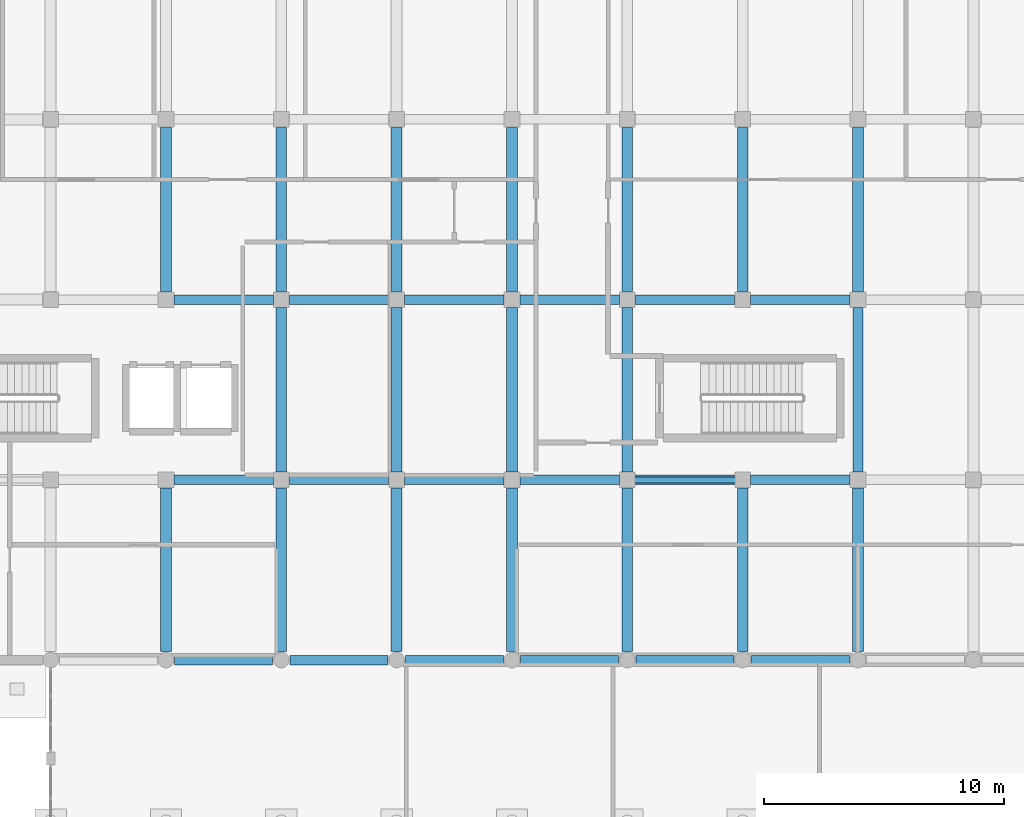
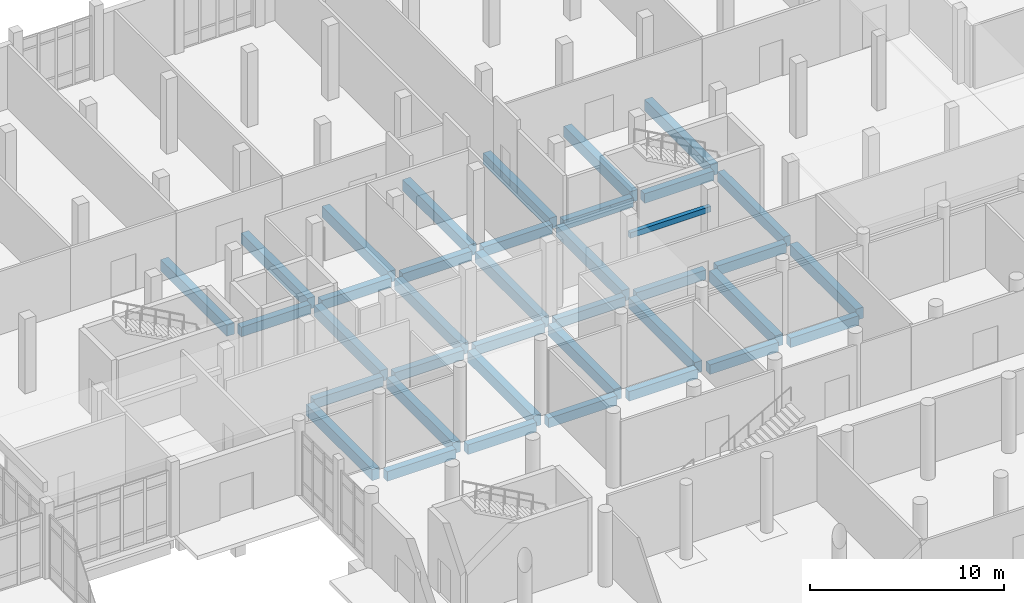
# One storey, part 74 of 173: 38 beams.
"""IFC4 building model written with IfcOpenShell, lengths in metres."""

from ifc_helpers import new_model, si_unit, direction, frame, origin, origin_2d, place, context, subcontext, project, spatial, rectangle, extrude, material, material_profile, profile_set, type_object, element, save


model = new_model("IFC4")

# Units and contexts
model_context = context("Model", 3, precision=1e-05, world=origin(), true_north=direction((0.0, 1.0)))
body_context = subcontext(model_context, "Body", "Model", "MODEL_VIEW")
ifc_project = project(units=[si_unit("LENGTHUNIT", "METRE"), si_unit("AREAUNIT", "SQUARE_METRE"), si_unit("VOLUMEUNIT", "CUBIC_METRE"), si_unit("PLANEANGLEUNIT", "RADIAN"), si_unit("MASSUNIT", "GRAM", prefix="KILO")], contexts=[model_context])

# Site, building, storey
site_placement = place(None, origin())
site = spatial("IfcSite", under=ifc_project, at=site_placement, CompositionType="ELEMENT")
building_placement = place(site_placement, origin())
building = spatial("IfcBuilding", under=site, at=building_placement, Name="Mawjan Specialist Oncology Clinic", CompositionType="ELEMENT")
storey_placement = place(building_placement, origin())
storey = spatial("IfcBuildingStorey", under=building, at=storey_placement, Name="L00", CompositionType="ELEMENT", Elevation=0.0)

# Beams
ifc_material_1 = material(Name="Concrete C40/50", Category="concrete")
ifc_material_profile_1 = material_profile(ifc_material_1, rectangle(XDim=0.39990234375, YDim=0.60009765625, at=origin_2d()), Name="RC BM 400x600", Category="concrete")
ifc_profile_set_1 = profile_set([ifc_material_profile_1], Name="Concrete C40/50")
beam_type_1 = type_object("IfcBeamType", Name="BM-400x600", PredefinedType="BEAM", material=ifc_profile_set_1)
for number, where, z_axis, x_axis, name in (
    (1, (65.159912109375, 75.800048828125, -0.719970703125), (1.0, 0.0, 0.0), (0.0, 1.0, 0.0), "L00 Collector Beam BM-L00-0010"),
    (2, (69.9599609375, 75.800048828125, -0.719970703125), (1.0, 0.0, 0.0), (0.0, 1.0, 0.0), "L00 Collector Beam BM-L00-0011"),
    (3, (74.760009765625, 75.800048828125, -0.719970703125), (1.0, 0.0, 0.0), (0.0, 1.0, 0.0), "L00 Collector Beam BM-L00-0012"),
):
    element("IfcBeam", number, at=place(storey_placement, frame(where, z_axis=z_axis, x_axis=x_axis)), inside=storey, type_object=beam_type_1, Name=name, PredefinedType="BEAM", context=body_context, shape_type="SweptSolid", body=[
        extrude(rectangle(XDim=0.39990234375, YDim=0.60009765625, at=origin_2d()), origin(), (0.0, 0.0, 1.0), 4.080078125),
    ])
for number, where, z_axis, x_axis, name in (
    (4, (79.56005859375, 75.800048828125, -0.719970703125), (1.0, 0.0, 0.0), (0.0, 1.0, 0.0), "L00 Collector Beam BM-L00-0013"),
    (5, (84.360107421875, 75.800048828125, -0.719970703125), (1.0, 0.0, 0.0), (0.0, 1.0, 0.0), "L00 Collector Beam BM-L00-0014"),
):
    element("IfcBeam", number, at=place(storey_placement, frame(where, z_axis=z_axis, x_axis=x_axis)), inside=storey, type_object=beam_type_1, Name=name, PredefinedType="BEAM", context=body_context, shape_type="SweptSolid", body=[
        extrude(rectangle(XDim=0.39990234375, YDim=0.60009765625, at=origin_2d()), origin(), (0.0, 0.0, 1.0), 4.079833984375),
    ])
beam_1_placement = place(storey_placement, frame((89.159912109375, 75.800048828125, -0.719970703125), z_axis=(1.0, 0.0, 0.0), x_axis=(0.0, 1.0, 0.0)))
element("IfcBeam", 6, at=beam_1_placement, inside=storey, type_object=beam_type_1, Name="L00 Collector Beam BM-L00-0015", PredefinedType="BEAM", context=body_context, shape_type="SweptSolid", body=[
    extrude(rectangle(XDim=0.39990234375, YDim=0.60009765625, at=origin_2d()), origin(), (0.0, 0.0, 1.0), 4.080078125),
])
for number, where, z_axis, x_axis, name in (
    (7, (65.135009765625, 83.300048828125, -0.719970703125), (1.0, 0.0, 0.0), (0.0, 1.0, 0.0), "L00 Collector Beam BM-L00-0029"),
    (8, (69.93505859375, 83.300048828125, -0.719970703125), (1.0, 0.0, 0.0), (0.0, 1.0, 0.0), "L00 Collector Beam BM-L00-0030"),
    (9, (74.735107421875, 83.300048828125, -0.719970703125), (1.0, 0.0, 0.0), (0.0, 1.0, 0.0), "L00 Collector Beam BM-L00-0031"),
):
    element("IfcBeam", number, at=place(storey_placement, frame(where, z_axis=z_axis, x_axis=x_axis)), inside=storey, type_object=beam_type_1, Name=name, PredefinedType="BEAM", context=body_context, shape_type="SweptSolid", body=[
        extrude(rectangle(XDim=0.39990234375, YDim=0.60009765625, at=origin_2d()), origin(), (0.0, 0.0, 1.0), 4.1298828125),
    ])
for number, where, z_axis, x_axis, name in (
    (10, (79.534912109375, 83.300048828125, -0.719970703125), (1.0, 0.0, 0.0), (0.0, 1.0, 0.0), "L00 Collector Beam BM-L00-0032"),
    (11, (84.3349609375, 83.300048828125, -0.719970703125), (1.0, 0.0, 0.0), (0.0, 1.0, 0.0), "L00 Collector Beam BM-L00-0033"),
):
    element("IfcBeam", number, at=place(storey_placement, frame(where, z_axis=z_axis, x_axis=x_axis)), inside=storey, type_object=beam_type_1, Name=name, PredefinedType="BEAM", context=body_context, shape_type="SweptSolid", body=[
        extrude(rectangle(XDim=0.39990234375, YDim=0.60009765625, at=origin_2d()), origin(), (0.0, 0.0, 1.0), 4.130126953125),
    ])
for number, where, z_axis, x_axis, name in (
    (12, (89.135009765625, 83.300048828125, -0.719970703125), (1.0, 0.0, 0.0), (0.0, 1.0, 0.0), "L00 Collector Beam BM-L00-0034"),
    (13, (65.135009765625, 90.800048828125, -0.719970703125), (1.0, 0.0, 0.0), (0.0, 1.0, 0.0), "L00 Collector Beam BM-L00-0048"),
    (14, (69.93505859375, 90.800048828125, -0.719970703125), (1.0, 0.0, 0.0), (0.0, 1.0, 0.0), "L00 Collector Beam BM-L00-0049"),
    (15, (74.735107421875, 90.800048828125, -0.719970703125), (1.0, 0.0, 0.0), (0.0, 1.0, 0.0), "L00 Collector Beam BM-L00-0050"),
):
    element("IfcBeam", number, at=place(storey_placement, frame(where, z_axis=z_axis, x_axis=x_axis)), inside=storey, type_object=beam_type_1, Name=name, PredefinedType="BEAM", context=body_context, shape_type="SweptSolid", body=[
        extrude(rectangle(XDim=0.39990234375, YDim=0.60009765625, at=origin_2d()), origin(), (0.0, 0.0, 1.0), 4.1298828125),
    ])
for number, where, z_axis, x_axis, name in (
    (16, (79.534912109375, 90.800048828125, -0.719970703125), (1.0, 0.0, 0.0), (0.0, 1.0, 0.0), "L00 Collector Beam BM-L00-0051"),
    (17, (84.3349609375, 90.800048828125, -0.719970703125), (1.0, 0.0, 0.0), (0.0, 1.0, 0.0), "L00 Collector Beam BM-L00-0052"),
):
    element("IfcBeam", number, at=place(storey_placement, frame(where, z_axis=z_axis, x_axis=x_axis)), inside=storey, type_object=beam_type_1, Name=name, PredefinedType="BEAM", context=body_context, shape_type="SweptSolid", body=[
        extrude(rectangle(XDim=0.39990234375, YDim=0.60009765625, at=origin_2d()), origin(), (0.0, 0.0, 1.0), 4.130126953125),
    ])
beam_2_placement = place(storey_placement, frame((89.135009765625, 90.800048828125, -0.719970703125), z_axis=(1.0, 0.0, 0.0), x_axis=(0.0, 1.0, 0.0)))
element("IfcBeam", 18, at=beam_2_placement, inside=storey, type_object=beam_type_1, Name="L00 Collector Beam BM-L00-0053", PredefinedType="BEAM", context=body_context, shape_type="SweptSolid", body=[
    extrude(rectangle(XDim=0.39990234375, YDim=0.60009765625, at=origin_2d()), origin(), (0.0, 0.0, 1.0), 4.1298828125),
])
ifc_material_2 = material(Name="Concrete C40/50", Category="concrete")
ifc_material_profile_2 = material_profile(ifc_material_2, rectangle(XDim=0.449951171875, YDim=0.699951171875, at=origin_2d()), Name="RC BM 450x700", Category="concrete")
ifc_profile_set_2 = profile_set([ifc_material_profile_2], Name="Concrete C40/50")
beam_type_2 = type_object("IfcBeamType", Name="BM-450x700", PredefinedType="BEAM", material=ifc_profile_set_2)
beam_3_placement = place(storey_placement, frame((64.800048828125, 76.159912109375, -0.77001953125), z_axis=(0.0, 1.0, 0.0), x_axis=(-1.0, 0.0, 0.0)))
element("IfcBeam", 19, at=beam_3_placement, inside=storey, type_object=beam_type_2, Name="L00 Collector Beam BM-L00-0136", PredefinedType="BEAM", context=body_context, shape_type="SweptSolid", body=[
    extrude(rectangle(XDim=0.449951171875, YDim=0.699951171875, at=origin_2d()), origin(), (0.0, 0.0, 1.0), 6.80517578125),
])
beam_4_placement = place(storey_placement, frame((64.800048828125, 91.135009765625, -0.77001953125), z_axis=(0.0, 1.0, 0.0), x_axis=(-1.0, 0.0, 0.0)))
element("IfcBeam", 20, at=beam_4_placement, inside=storey, type_object=beam_type_2, Name="L00 Collector Beam BM-L00-0137", PredefinedType="BEAM", context=body_context, shape_type="SweptSolid", body=[
    extrude(rectangle(XDim=0.449951171875, YDim=0.699951171875, at=origin_2d()), origin(), (0.0, 0.0, 1.0), 6.830078125),
])
beam_5_placement = place(storey_placement, frame((69.60009765625, 76.159912109375, -0.77001953125), z_axis=(0.0, 1.0, 0.0), x_axis=(-1.0, 0.0, 0.0)))
element("IfcBeam", 21, at=beam_5_placement, inside=storey, type_object=beam_type_2, Name="L00 Collector Beam BM-L00-0140", PredefinedType="BEAM", context=body_context, shape_type="SweptSolid", body=[
    extrude(rectangle(XDim=0.449951171875, YDim=0.699951171875, at=origin_2d()), origin(), (0.0, 0.0, 1.0), 6.80517578125),
])
for number, where, z_axis, x_axis, name in (
    (22, (69.60009765625, 83.635009765625, -0.77001953125), (0.0, 1.0, 0.0), (-1.0, 0.0, 0.0), "L00 Collector Beam BM-L00-0141"),
    (23, (69.60009765625, 91.135009765625, -0.77001953125), (0.0, 1.0, 0.0), (-1.0, 0.0, 0.0), "L00 Collector Beam BM-L00-0142"),
):
    element("IfcBeam", number, at=place(storey_placement, frame(where, z_axis=z_axis, x_axis=x_axis)), inside=storey, type_object=beam_type_2, Name=name, PredefinedType="BEAM", context=body_context, shape_type="SweptSolid", body=[
        extrude(rectangle(XDim=0.449951171875, YDim=0.699951171875, at=origin_2d()), origin(), (0.0, 0.0, 1.0), 6.830078125),
    ])
beam_6_placement = place(storey_placement, frame((74.39990234375, 76.159912109375, -0.77001953125), z_axis=(0.0, 1.0, 0.0), x_axis=(-1.0, 0.0, 0.0)))
element("IfcBeam", 24, at=beam_6_placement, inside=storey, type_object=beam_type_2, Name="L00 Collector Beam BM-L00-0145", PredefinedType="BEAM", context=body_context, shape_type="SweptSolid", body=[
    extrude(rectangle(XDim=0.449951171875, YDim=0.699951171875, at=origin_2d()), origin(), (0.0, 0.0, 1.0), 6.80517578125),
])
for number, where, z_axis, x_axis, name in (
    (25, (74.39990234375, 83.635009765625, -0.77001953125), (0.0, 1.0, 0.0), (-1.0, 0.0, 0.0), "L00 Collector Beam BM-L00-0146"),
    (26, (74.39990234375, 91.135009765625, -0.77001953125), (0.0, 1.0, 0.0), (-1.0, 0.0, 0.0), "L00 Collector Beam BM-L00-0147"),
):
    element("IfcBeam", number, at=place(storey_placement, frame(where, z_axis=z_axis, x_axis=x_axis)), inside=storey, type_object=beam_type_2, Name=name, PredefinedType="BEAM", context=body_context, shape_type="SweptSolid", body=[
        extrude(rectangle(XDim=0.449951171875, YDim=0.699951171875, at=origin_2d()), origin(), (0.0, 0.0, 1.0), 6.830078125),
    ])
beam_7_placement = place(storey_placement, frame((79.199951171875, 76.159912109375, -0.77001953125), z_axis=(0.0, 1.0, 0.0), x_axis=(-1.0, 0.0, 0.0)))
element("IfcBeam", 27, at=beam_7_placement, inside=storey, type_object=beam_type_2, Name="L00 Collector Beam BM-L00-0150", PredefinedType="BEAM", context=body_context, shape_type="SweptSolid", body=[
    extrude(rectangle(XDim=0.449951171875, YDim=0.699951171875, at=origin_2d()), origin(), (0.0, 0.0, 1.0), 6.80517578125),
])
for number, where, z_axis, x_axis, name in (
    (28, (79.199951171875, 83.635009765625, -0.77001953125), (0.0, 1.0, 0.0), (-1.0, 0.0, 0.0), "L00 Collector Beam BM-L00-0151"),
    (29, (79.199951171875, 91.135009765625, -0.77001953125), (0.0, 1.0, 0.0), (-1.0, 0.0, 0.0), "L00 Collector Beam BM-L00-0152"),
):
    element("IfcBeam", number, at=place(storey_placement, frame(where, z_axis=z_axis, x_axis=x_axis)), inside=storey, type_object=beam_type_2, Name=name, PredefinedType="BEAM", context=body_context, shape_type="SweptSolid", body=[
        extrude(rectangle(XDim=0.449951171875, YDim=0.699951171875, at=origin_2d()), origin(), (0.0, 0.0, 1.0), 6.830078125),
    ])
beam_8_placement = place(storey_placement, frame((84.0, 76.159912109375, -0.77001953125), z_axis=(0.0, 1.0, 0.0), x_axis=(-1.0, 0.0, 0.0)))
element("IfcBeam", 30, at=beam_8_placement, inside=storey, type_object=beam_type_2, Name="L00 Collector Beam BM-L00-0155", PredefinedType="BEAM", context=body_context, shape_type="SweptSolid", body=[
    extrude(rectangle(XDim=0.449951171875, YDim=0.699951171875, at=origin_2d()), origin(), (0.0, 0.0, 1.0), 6.80517578125),
])
for number, where, z_axis, x_axis, name in (
    (31, (84.0, 83.635009765625, -0.77001953125), (0.0, 1.0, 0.0), (-1.0, 0.0, 0.0), "L00 Collector Beam BM-L00-0156"),
    (32, (84.0, 91.135009765625, -0.77001953125), (0.0, 1.0, 0.0), (-1.0, 0.0, 0.0), "L00 Collector Beam BM-L00-0157"),
):
    element("IfcBeam", number, at=place(storey_placement, frame(where, z_axis=z_axis, x_axis=x_axis)), inside=storey, type_object=beam_type_2, Name=name, PredefinedType="BEAM", context=body_context, shape_type="SweptSolid", body=[
        extrude(rectangle(XDim=0.449951171875, YDim=0.699951171875, at=origin_2d()), origin(), (0.0, 0.0, 1.0), 6.830078125),
    ])
beam_9_placement = place(storey_placement, frame((88.800048828125, 76.159912109375, -0.77001953125), z_axis=(0.0, 1.0, 0.0), x_axis=(-1.0, 0.0, 0.0)))
element("IfcBeam", 33, at=beam_9_placement, inside=storey, type_object=beam_type_2, Name="L00 Collector Beam BM-L00-0160", PredefinedType="BEAM", context=body_context, shape_type="SweptSolid", body=[
    extrude(rectangle(XDim=0.449951171875, YDim=0.699951171875, at=origin_2d()), origin(), (0.0, 0.0, 1.0), 6.80517578125),
])
beam_10_placement = place(storey_placement, frame((88.800048828125, 91.135009765625, -0.77001953125), z_axis=(0.0, 1.0, 0.0), x_axis=(-1.0, 0.0, 0.0)))
element("IfcBeam", 34, at=beam_10_placement, inside=storey, type_object=beam_type_2, Name="L00 Collector Beam BM-L00-0161", PredefinedType="BEAM", context=body_context, shape_type="SweptSolid", body=[
    extrude(rectangle(XDim=0.449951171875, YDim=0.699951171875, at=origin_2d()), origin(), (0.0, 0.0, 1.0), 6.830078125),
])
beam_11_placement = place(storey_placement, frame((93.60009765625, 76.159912109375, -0.77001953125), z_axis=(0.0, 1.0, 0.0), x_axis=(-1.0, 0.0, 0.0)))
element("IfcBeam", 35, at=beam_11_placement, inside=storey, type_object=beam_type_2, Name="L00 Collector Beam BM-L00-0164", PredefinedType="BEAM", context=body_context, shape_type="SweptSolid", body=[
    extrude(rectangle(XDim=0.449951171875, YDim=0.699951171875, at=origin_2d()), origin(), (0.0, 0.0, 1.0), 6.80517578125),
])
beam_12_placement = place(storey_placement, frame((93.60009765625, 91.135009765625, -0.77001953125), z_axis=(0.0, 1.0, 0.0), x_axis=(-1.0, 0.0, 0.0)))
element("IfcBeam", 36, at=beam_12_placement, inside=storey, type_object=beam_type_2, Name="L00 Collector Beam BM-L00-0166", PredefinedType="BEAM", context=body_context, shape_type="SweptSolid", body=[
    extrude(rectangle(XDim=0.449951171875, YDim=0.699951171875, at=origin_2d()), origin(), (0.0, 0.0, 1.0), 6.830078125),
])
ifc_material_3 = material(Name="Concrete C40/50", Category="concrete")
ifc_material_profile_3 = material_profile(ifc_material_3, rectangle(XDim=0.25, YDim=0.35009765625, at=origin_2d()), Name="RC LINTEL 250x350", Category="concrete")
ifc_profile_set_3 = profile_set([ifc_material_profile_3], Name="Concrete C40/50")
beam_type_3 = type_object("IfcBeamType", Name="LNT-250", PredefinedType="LINTEL", material=ifc_profile_set_3)
beam_13_placement = place(storey_placement, frame((84.0, 83.300048828125, 3.25), z_axis=(1.0, 0.0, 0.0), x_axis=(0.0, 1.0, 0.0)))
element("IfcBeam", 37, at=beam_13_placement, inside=storey, type_object=beam_type_3, Name="L00 Reinforced Concrete Lintel 8", PredefinedType="LINTEL", context=body_context, shape_type="SweptSolid", body=[
    extrude(rectangle(XDim=0.25, YDim=0.35009765625, at=origin_2d()), origin(), (0.0, 0.0, 1.0), 4.800048828125),
])
ifc_material_4 = material(Name="Concrete C45/55", Category="concrete")
ifc_material_profile_4 = material_profile(ifc_material_4, rectangle(XDim=0.39990234375, YDim=0.64990234375, at=origin_2d()), Name="RC BM 400x650", Category="concrete")
ifc_profile_set_4 = profile_set([ifc_material_profile_4], Name="Concrete C45/55")
beam_type_4 = type_object("IfcBeamType", Name="SP-400x650", PredefinedType="SPANDREL", material=ifc_profile_set_4)
beam_14_placement = place(storey_placement, frame((93.60009765625, 83.635009765625, -0.7451171875), z_axis=(0.0, 1.0, 0.0), x_axis=(-1.0, 0.0, 0.0)))
element("IfcBeam", 38, at=beam_14_placement, inside=storey, type_object=beam_type_4, Name="L00 Spandrel Beam BM-L00-0165", PredefinedType="SPANDREL", context=body_context, shape_type="SweptSolid", body=[
    extrude(rectangle(XDim=0.39990234375, YDim=0.64990234375, at=origin_2d()), origin(), (0.0, 0.0, 1.0), 6.830078125),
])

save(model, "model.ifc")
